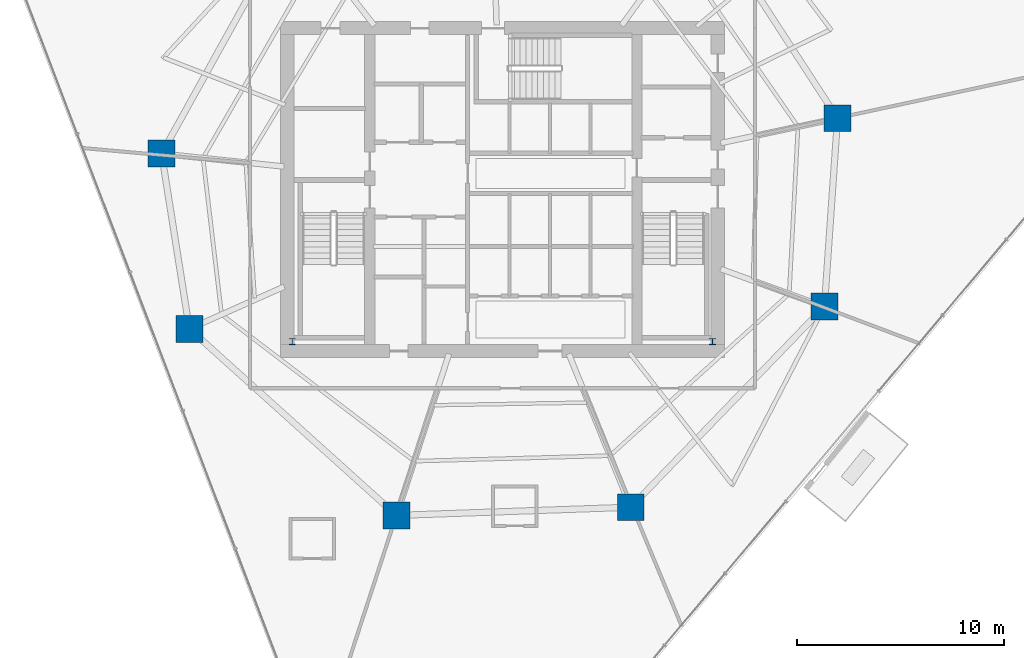
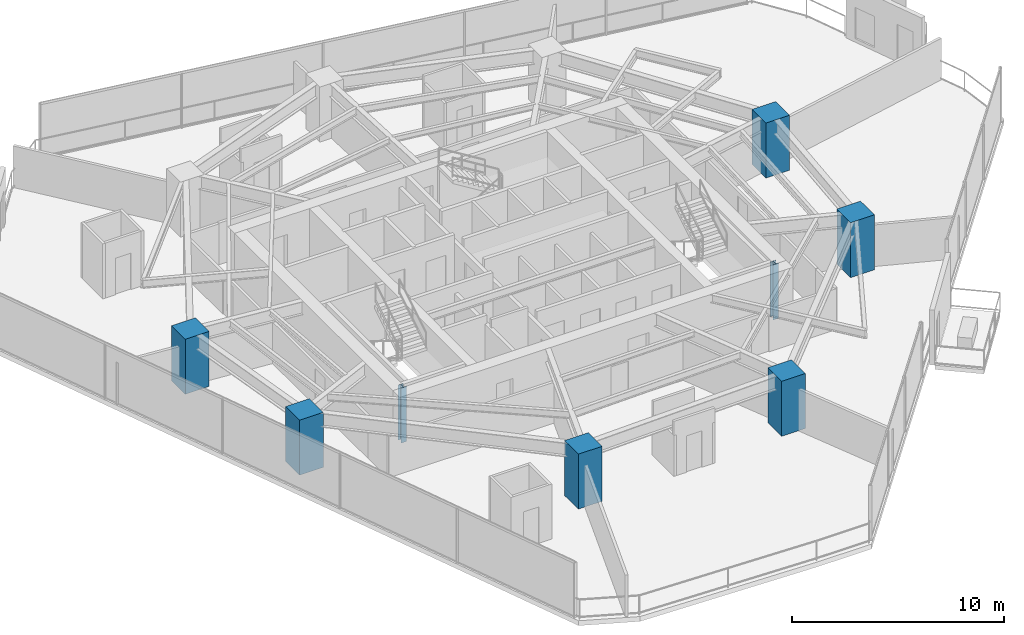
# One storey, part 1 of 31: 8 columns.
"""IFC4 building model written with IfcOpenShell, lengths in metres."""

from ifc_helpers import new_model, si_unit, direction, frame, origin, origin_2d, place, context, subcontext, project, spatial, rectangle, i_section, extrude, material, material_profile, profile_set, type_object, element, save


model = new_model("IFC4")

# Units and contexts
model_context = context("Model", 3, precision=1e-05, world=origin(), true_north=direction((0.0, 1.0)))
body_context = subcontext(model_context, "Body", "Model", "MODEL_VIEW")
ifc_project = project(units=[si_unit("LENGTHUNIT", "METRE"), si_unit("AREAUNIT", "SQUARE_METRE"), si_unit("VOLUMEUNIT", "CUBIC_METRE"), si_unit("PLANEANGLEUNIT", "RADIAN"), si_unit("MASSUNIT", "GRAM", prefix="KILO")], contexts=[model_context])

# Site, building, storey
site_placement = place(None, origin())
site = spatial("IfcSite", under=ifc_project, at=site_placement, CompositionType="ELEMENT")
building_placement = place(site_placement, origin())
building = spatial("IfcBuilding", under=site, at=building_placement, Name="Qarnah Convention Tower", CompositionType="ELEMENT")
storey_placement = place(building_placement, frame((0.0, 0.0, 33.89990234375)))
storey = spatial("IfcBuildingStorey", under=building, at=storey_placement, Name="L07", CompositionType="ELEMENT", Elevation=33.89990234375)

# Columns
ifc_material_1 = material(Name="Concrete C60/75", Category="concrete")
ifc_material_profile_1 = material_profile(ifc_material_1, rectangle(XDim=1.300048828125, YDim=1.300048828125, at=origin_2d()), Name="RC-COL-1300X1300")
ifc_profile_set_1 = profile_set([ifc_material_profile_1], Name="Concrete C60/75")
column_type_1 = type_object("IfcColumnType", Name="COL-Z1-1300", PredefinedType="COLUMN", material=ifc_profile_set_1)
for number, where, z_axis, x_axis, name in (
    (1, (53.387939453125, 29.841064453125, 0.0), (0.0, 0.0, 1.0), (1.0, 0.0, 0.0), "L07 plumb column PC-Z1-01"),
    (2, (20.740966796875, 28.1298828125, 0.0), (0.0, 0.0, 1.0), (1.0, 0.0, 0.0), "L07 plumb column PC-Z1-05"),
    (3, (22.0810546875, 19.6689453125, 0.0), (0.0, 0.0, 1.0), (1.0, 0.0, 0.0), "L07 plumb column PC-Z1-06"),
    (4, (32.0859375, 10.659912109375, 0.0), (0.0, 0.0, 1.0), (1.0, 0.0, 0.0), "L07 plumb column PC-Z1-07"),
    (5, (43.39990234375, 11.054931640625, 0.0), (0.0, 0.0, 1.0), (1.0, 0.0, 0.0), "L07 plumb column PC-Z1-08"),
    (6, (52.751953125, 20.739990234375, 0.0), (0.0, 0.0, 1.0), (1.0, 0.0, 0.0), "L07 plumb column PC-Z1-09"),
):
    element("IfcColumn", number, at=place(storey_placement, frame(where, z_axis=z_axis, x_axis=x_axis)), inside=storey, type_object=column_type_1, Name=name, PredefinedType="COLUMN", context=body_context, shape_type="SweptSolid", body=[
        extrude(rectangle(XDim=1.300048828125, YDim=1.300048828125, at=origin_2d()), origin(), (0.0, 0.0, 1.0), 3.170166015625),
    ])
ifc_material_2 = material(Name="Structural steel S355JR", Category="steel")
ifc_material_profile_2 = material_profile(ifc_material_2, i_section(OverallWidth=0.300048828125, OverallDepth=0.300048828125, WebThickness=0.010986328125, FlangeThickness=0.01904296875, at=origin_2d()), Name="HEB300")
ifc_profile_set_2 = profile_set([ifc_material_profile_2], Name="Structural steel S355JR")
column_type_2 = type_object("IfcColumnType", Name="PIL-SHF-300", PredefinedType="PILASTER", material=ifc_profile_set_2)
for number, where, z_axis, x_axis, name in (
    (7, (27.050048828125, 19.050048828125, 0.0), (0.0, 0.0, 1.0), (1.0, 0.0, 0.0), "L07 core spine steel pilaster 1"),
    (8, (47.35009765625, 19.050048828125, 0.0), (0.0, 0.0, 1.0), (1.0, 0.0, 0.0), "L07 core spine steel pilaster 2"),
):
    element("IfcColumn", number, at=place(storey_placement, frame(where, z_axis=z_axis, x_axis=x_axis)), inside=storey, type_object=column_type_2, Name=name, PredefinedType="PILASTER", context=body_context, shape_type="SweptSolid", body=[
        extrude(i_section(OverallWidth=0.300048828125, OverallDepth=0.300048828125, WebThickness=0.010986328125, FlangeThickness=0.01904296875, at=origin_2d()), origin(), (0.0, 0.0, 1.0), 3.170166015625),
    ])

save(model, "model.ifc")
